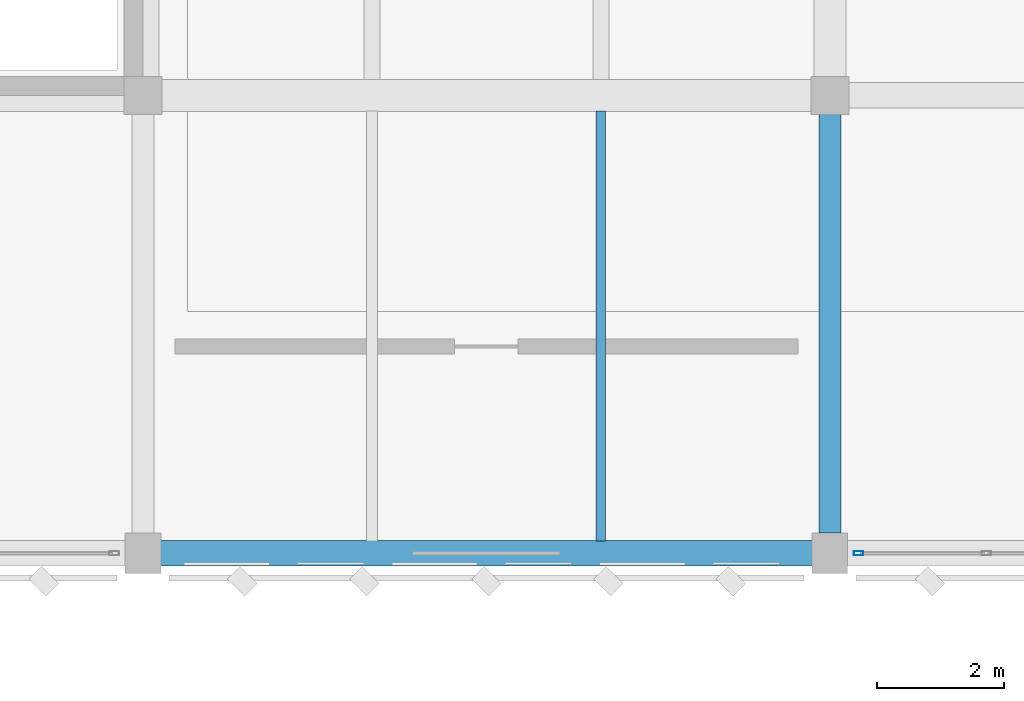
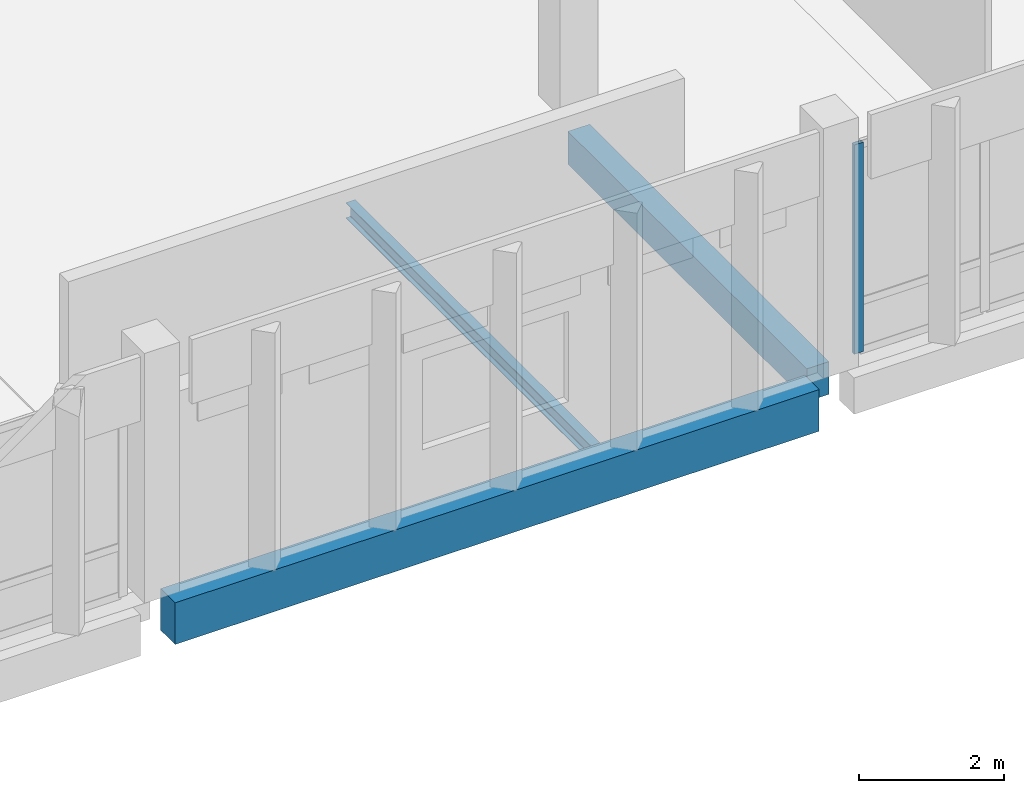
# One storey, part 57 of 158: 3 beams, 1 member, 1 element without a shape of its own.
"""IFC4 building model written with IfcOpenShell, lengths in metres."""

import ifcopenshell
import ifcopenshell.guid

model = None  # the IFC model being written
_history = None  # IfcOwnerHistory: only IFC2X3 demands one
_inside = {}  # id of a spatial element -> (the spatial element, [elements in it])
_under = {}  # id of a project, library or spatial element -> (it, [spatial elements below it])
_declared = {}  # id of a project -> (the project, [libraries it declares])
_typed = {}  # id of a type object -> (the type object, [elements of that type])
_made_of = {}  # id of a material, layer set ... -> (it, [elements and type objects made of it])


def new_model(schema):
    """Start an empty IFC model of exactly this schema.

    Asked for "IFC4X3", IfcOpenShell would pick the latest addendum, in which some entities
    have other attributes; the version numbers below select the first issue.
    IFC2X3 requires an IfcOwnerHistory on every rooted entity: one is made here for all.
    """
    global model, _history
    if schema == "IFC4X3":
        model = ifcopenshell.file(schema_version=(4, 3, 0, 0))
    else:
        model = ifcopenshell.file(schema=schema)
    _inside.clear()
    _under.clear()
    _declared.clear()
    _typed.clear()
    _made_of.clear()
    _history = None
    if model.schema == "IFC2X3":
        org = make("IfcOrganization", Name="unknown")
        user = make(
            "IfcPersonAndOrganization",
            ThePerson=make("IfcPerson", FamilyName="unknown"),
            TheOrganization=org,
        )
        app = make(
            "IfcApplication",
            ApplicationDeveloper=org,
            Version="unknown",
            ApplicationFullName="unknown",
            ApplicationIdentifier="unknown",
        )
        _history = make(
            "IfcOwnerHistory",
            OwningUser=user,
            OwningApplication=app,
            ChangeAction="ADDED",
            CreationDate=0,
        )
    return model


def make(cls, **values):
    """One entity of the class cls with the attributes given. An attribute that is None is left unset."""
    return model.create_entity(
        cls, **{name: value for name, value in values.items() if value is not None}
    )


def rooted(cls, **values):
    """An entity with a GlobalId (a new one), such as an element, a storey or a relation."""
    return make(cls, GlobalId=ifcopenshell.guid.new(), OwnerHistory=_history, **values)


def si_unit(unit_type, name, prefix=None):
    """IfcSIUnit, for example si_unit("LENGTHUNIT", "METRE", prefix="MILLI")."""
    return make("IfcSIUnit", UnitType=unit_type, Prefix=prefix, Name=name)


def assignment(units):
    """IfcUnitAssignment: the units of a project."""
    return None if units is None else make("IfcUnitAssignment", Units=units)


def point(xyz):
    """IfcCartesianPoint."""
    return None if xyz is None else make("IfcCartesianPoint", Coordinates=xyz)


def direction(xyz):
    """IfcDirection."""
    return None if xyz is None else make("IfcDirection", DirectionRatios=xyz)


def frame(location, z_axis=None, x_axis=None):
    """IfcAxis2Placement3D, a coordinate frame: its origin and axes. An axis left out is left unset."""
    return make(
        "IfcAxis2Placement3D",
        Location=point(location),
        Axis=direction(z_axis),
        RefDirection=direction(x_axis),
    )


def frame_2d(location, x_axis=None):
    """IfcAxis2Placement2D, a coordinate frame in the plane: its origin and x axis."""
    return make(
        "IfcAxis2Placement2D", Location=point(location), RefDirection=direction(x_axis)
    )


def origin():
    """The frame at (0, 0, 0) with its axes left unset."""
    return frame((0.0, 0.0, 0.0))


def origin_2d():
    """The frame at (0, 0) in the plane with its x axis left unset."""
    return frame_2d((0.0, 0.0))


def place(relative_to, where):
    """IfcLocalPlacement: puts the frame where relative to a parent placement (None: the world)."""
    return make(
        "IfcLocalPlacement", PlacementRelTo=relative_to, RelativePlacement=where
    )


def context(
    kind, dimensions, precision=None, world=None, true_north=None, identifier=None
):
    """IfcGeometricRepresentationContext, for example the 3D "Model" context."""
    return make(
        "IfcGeometricRepresentationContext",
        ContextIdentifier=identifier,
        ContextType=kind,
        CoordinateSpaceDimension=dimensions,
        Precision=precision,
        WorldCoordinateSystem=world,
        TrueNorth=true_north,
    )


def subcontext(parent, identifier, kind, view, scale=None):
    """IfcGeometricRepresentationSubContext, for example "Body" below "Model"."""
    return make(
        "IfcGeometricRepresentationSubContext",
        ContextIdentifier=identifier,
        ContextType=kind,
        ParentContext=parent,
        TargetScale=scale,
        TargetView=view,
    )


def project(units=None, contexts=None):
    """IfcProject with its units and contexts."""
    return rooted(
        "IfcProject",
        Name="project",
        RepresentationContexts=contexts,
        UnitsInContext=assignment(units),
    )


def spatial(cls, under=None, at=None, **own):
    """A site, building, storey or space (cls), placed at a placement, below another one or the project."""
    s = rooted(cls, ObjectPlacement=at, **own)
    if under is not None:
        _under.setdefault(under.id(), (under, []))[1].append(s)
    return s


def profile(cls, at=None, kind="AREA", **sizes):
    """A parametric profile (cls). Its sizes go by their IFC names, for example OverallWidth=200.0."""
    return make(cls, ProfileType=kind, Position=at, **sizes)


def rectangle(**sizes):
    """IfcRectangleProfileDef."""
    return profile("IfcRectangleProfileDef", **sizes)


def hollow_rectangle(**sizes):
    """IfcRectangleHollowProfileDef."""
    return profile("IfcRectangleHollowProfileDef", **sizes)


def i_section(**sizes):
    """IfcIShapeProfileDef."""
    return profile("IfcIShapeProfileDef", **sizes)


def extrude(swept, where, along, depth):
    """IfcExtrudedAreaSolid: the profile swept, set in the frame where, extruded along a direction by depth."""
    return make(
        "IfcExtrudedAreaSolid",
        SweptArea=swept,
        Position=where,
        ExtrudedDirection=direction(along),
        Depth=depth,
    )


def shape(context_of_items, identifier, shape_type, items):
    """IfcShapeRepresentation: the items that make up one representation, for example the "Body"."""
    return make(
        "IfcShapeRepresentation",
        ContextOfItems=context_of_items,
        RepresentationIdentifier=identifier,
        RepresentationType=shape_type,
        Items=items,
    )


def material(Name=None, Category=None):
    """IfcMaterial."""
    return make("IfcMaterial", Name=Name, Category=Category)


def material_profile(
    of_material, cross_section, Name=None, Category=None, Priority=None
):
    """IfcMaterialProfile: a cross section and its material."""
    return make(
        "IfcMaterialProfile",
        Name=Name,
        Material=of_material,
        Profile=cross_section,
        Priority=Priority,
        Category=Category,
    )


def profile_set(profiles, Name=None, composite=None):
    """IfcMaterialProfileSet."""
    return make(
        "IfcMaterialProfileSet",
        Name=Name,
        MaterialProfiles=profiles,
        CompositeProfile=composite,
    )


def made_of(thing, what):
    """Note that an element or type object is made of a material, layer set ...; save() writes the relation."""
    if what is not None:
        _made_of.setdefault(what.id(), (what, []))[1].append(thing)
    return thing


def type_object(cls, material=None, **own):
    """A type object (cls), such as IfcWallType, which elements share."""
    return made_of(rooted(cls, **own), material)


def element(
    cls,
    number,
    at=None,
    inside=None,
    cuts=None,
    type_object=None,
    material=None,
    context=None,
    identifier="Body",
    shape_type=None,
    held_by="IfcProductDefinitionShape",
    body=None,
    shapes=None,
    **own,
):
    """One element of the class cls, such as IfcWall. Its Tag is "e" and its number.

    at: its placement. inside: the storey or other place that contains it. cuts: it is an
    opening in that element (IfcRelVoidsElement). A single representation is given by context,
    identifier, shape_type and body (its items); several are given by shapes. held_by: the class
    of the entity that holds the representations. save() writes the other relations.
    """
    e = rooted(cls, Tag="e%d" % number, ObjectPlacement=at, **own)
    if body is not None:
        shapes = [shape(context, identifier, shape_type, body)]
    if shapes is not None:
        e.Representation = make(held_by, Representations=shapes)
    if inside is not None:
        _inside.setdefault(inside.id(), (inside, []))[1].append(e)
    if cuts is not None:
        rooted(
            "IfcRelVoidsElement", RelatingBuildingElement=cuts, RelatedOpeningElement=e
        )
    if type_object is not None:
        _typed.setdefault(type_object.id(), (type_object, []))[1].append(e)
    return made_of(e, material)


def aggregate(whole, parts):
    """IfcRelAggregates: a whole, such as a stair, and the parts it consists of."""
    return rooted("IfcRelAggregates", RelatingObject=whole, RelatedObjects=parts)


def save(model, path):
    """Write the relations noted so far, then the file.

    IfcRelAggregates (storeys below a building ...), IfcRelContainedInSpatialStructure (elements
    in a storey), IfcRelDefinesByType, IfcRelAssociatesMaterial and IfcRelDeclares: one each for
    every whole, place, type object, material and project.
    """
    for whole, parts in _under.values():
        aggregate(whole, parts)
    for where, things in _inside.values():
        rooted(
            "IfcRelContainedInSpatialStructure",
            RelatedElements=things,
            RelatingStructure=where,
        )
    for kind, things in _typed.values():
        rooted("IfcRelDefinesByType", RelatedObjects=things, RelatingType=kind)
    for what, things in _made_of.values():
        rooted("IfcRelAssociatesMaterial", RelatedObjects=things, RelatingMaterial=what)
    for by, libraries in _declared.values():
        rooted("IfcRelDeclares", RelatingContext=by, RelatedDefinitions=libraries)
    model.write(path)


model = new_model("IFC4")

# Units and contexts
model_context = context("Model", 3, precision=1e-05, world=origin(), true_north=direction((0.0, 1.0)))
body_context = subcontext(model_context, "Body", "Model", "MODEL_VIEW")
ifc_project = project(units=[si_unit("LENGTHUNIT", "METRE"), si_unit("AREAUNIT", "SQUARE_METRE"), si_unit("VOLUMEUNIT", "CUBIC_METRE"), si_unit("PLANEANGLEUNIT", "RADIAN"), si_unit("MASSUNIT", "GRAM", prefix="KILO")], contexts=[model_context])

# Site, building, storey
site_placement = place(None, origin())
site = spatial("IfcSite", under=ifc_project, at=site_placement, CompositionType="ELEMENT")
building_placement = place(site_placement, origin())
building = spatial("IfcBuilding", under=site, at=building_placement, Name="Lusvemor Sports Hall", CompositionType="ELEMENT")
storey_placement = place(building_placement, frame((0.0, 0.0, 10.800048828125)))
storey = spatial("IfcBuildingStorey", under=building, at=storey_placement, Name="L02", CompositionType="ELEMENT", Elevation=10.800048828125)

# Beam
ifc_material_1 = material(Name="Concrete C40/50", Category="concrete")
ifc_material_profile_1 = material_profile(ifc_material_1, rectangle(XDim=0.35009765625, YDim=0.550048828125, at=origin_2d()), Name="RC350x550")
ifc_profile_set_1 = profile_set([ifc_material_profile_1], Name="Concrete C40/50")
beam_type_1 = type_object("IfcBeamType", Name="BEAM_RC_550", PredefinedType="BEAM", material=ifc_profile_set_1)
beam_1_placement = place(storey_placement, frame((75.60009765625, 97.51611328125, -0.53515625), z_axis=(0.0, 1.0, 0.0), x_axis=(-1.0, 0.0, 0.0)))
element("IfcBeam", 1, at=beam_1_placement, inside=storey, type_object=beam_type_1, Name="Beam L02 8:N-P", PredefinedType="BEAM", context=body_context, shape_type="SweptSolid", body=[
    extrude(rectangle(XDim=0.35009765625, YDim=0.550048828125, at=origin_2d()), origin(), (0.0, 0.0, 1.0), 6.587890625),
])

# Curtain wall, member
ifc_material_2 = material(Name="Thermally broken bronze-anodized aluminium", Category="aluminium")
curtain_wall_type = type_object("IfcCurtainWallType", Name="CW_WING_B", PredefinedType="NOTDEFINED", material=ifc_material_2)
curtain_wall_placement = place(storey_placement, origin())
curtain_wall = element("IfcCurtainWall", 2, at=curtain_wall_placement, inside=storey, type_object=curtain_wall_type, Name="Curtain Wall CW-L02-S-3-5", PredefinedType="NOTDEFINED")
ifc_material_3 = material(Name="Thermally broken bronze-anodized aluminium", Category="aluminium")
ifc_material_profile_2 = material_profile(ifc_material_3, hollow_rectangle(XDim=0.06494140625, YDim=0.14990234375, WallThickness=0.00390625, InnerFilletRadius=0.00390625, OuterFilletRadius=0.008056640625, at=origin_2d()), Name="CWMUL150x65x4")
ifc_profile_set_2 = profile_set([ifc_material_profile_2], Name="Thermally broken bronze-anodized aluminium")
member_type = type_object("IfcMemberType", Name="CW_MUL_B", PredefinedType="MULLION", material=ifc_profile_set_2)
member_placement = place(storey_placement, frame((76.052490234375, 97.199951171875, 0.0), z_axis=(0.0, 0.0, 1.0), x_axis=(0.0, -1.0, 0.0)))
member = element("IfcMember", 3, at=member_placement, type_object=member_type, Name="CW02 mullion 5", PredefinedType="MULLION", context=body_context, shape_type="SweptSolid", body=[
    extrude(hollow_rectangle(XDim=0.06494140625, YDim=0.14990234375, WallThickness=0.00390625, InnerFilletRadius=0.00390625, OuterFilletRadius=0.008056640625, at=origin_2d()), origin(), (0.0, 0.0, 1.0), 3.52001953125),
])
aggregate(curtain_wall, [member])

# Beams
ifc_material_4 = material(Name="Steel S355", Category="steel")
ifc_material_profile_3 = material_profile(ifc_material_4, i_section(OverallWidth=0.14794921875, OverallDepth=0.26611328125, WebThickness=0.007568359375, FlangeThickness=0.012939453125, FilletRadius=0.012939453125, at=origin_2d()), Name="W250x44.8")
ifc_profile_set_3 = profile_set([ifc_material_profile_3], Name="Steel S355")
beam_type_2 = type_object("IfcBeamType", Name="JOIST_ST_250M", PredefinedType="JOIST", material=ifc_profile_set_3)
beam_2_placement = place(storey_placement, frame((72.0, 97.39599609375, -0.39697265625), z_axis=(0.0, 1.0, 0.0), x_axis=(-1.0, 0.0, 0.0)))
element("IfcBeam", 4, at=beam_2_placement, inside=storey, type_object=beam_type_2, Name="Secondary Joist L02 7-8/N-P #2", PredefinedType="JOIST", context=body_context, shape_type="SweptSolid", body=[
    extrude(i_section(OverallWidth=0.14794921875, OverallDepth=0.26611328125, WebThickness=0.007568359375, FlangeThickness=0.012939453125, FilletRadius=0.012939453125, at=origin_2d()), origin(), (0.0, 0.0, 1.0), 6.758056640625),
])
ifc_material_5 = material(Name="Concrete C40/50", Category="concrete")
ifc_material_profile_4 = material_profile(ifc_material_5, rectangle(XDim=0.39990234375, YDim=0.699951171875, at=origin_2d()), Name="RC400x700")
ifc_profile_set_4 = profile_set([ifc_material_profile_4], Name="Concrete C40/50")
beam_type_3 = type_object("IfcBeamType", Name="SPAND_EXT_700", PredefinedType="SPANDREL", material=ifc_profile_set_4)
beam_3_placement = place(storey_placement, frame((65.075927734375, 97.199951171875, -0.610107421875), z_axis=(1.0, 0.0, 0.0), x_axis=(0.0, 1.0, 0.0)))
element("IfcBeam", 5, at=beam_3_placement, inside=storey, type_object=beam_type_3, Name="Beam L02 N:7-8", PredefinedType="SPANDREL", context=body_context, shape_type="SweptSolid", body=[
    extrude(rectangle(XDim=0.39990234375, YDim=0.699951171875, at=origin_2d()), origin(), (0.0, 0.0, 1.0), 10.248046875),
])

save(model, "model.ifc")
